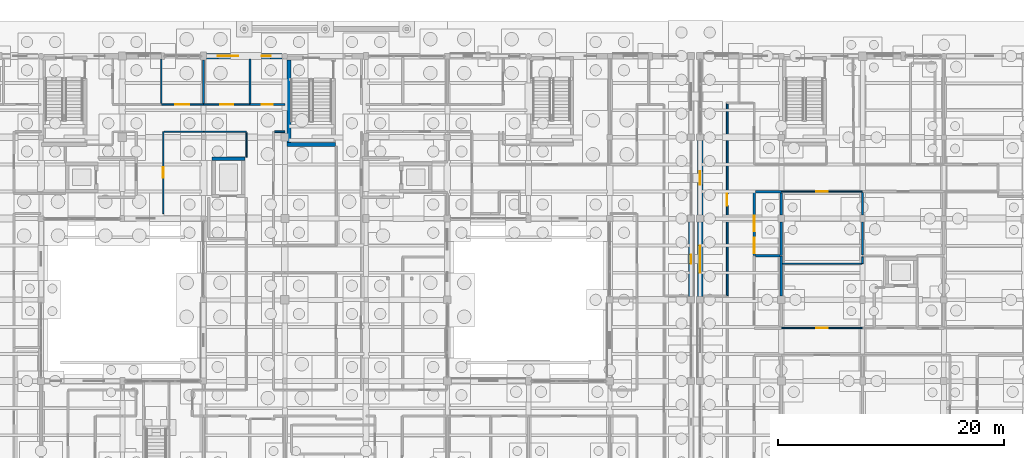
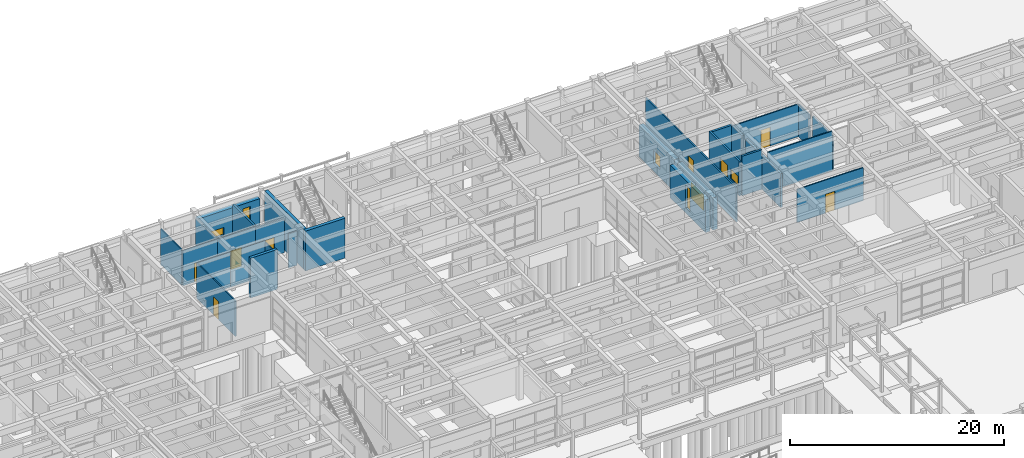
# One storey, part 114 of 143: 31 walls, 8 doors, 6 windows, 14 openings.
"""IFC4 building model written with IfcOpenShell, lengths in metres."""

from ifc_helpers import new_model, si_unit, direction, frame, frame_2d, origin, place, context, subcontext, project, spatial, rectangle, extrude, material, layer, layer_set, type_object, element, fill, save


model = new_model("IFC4")

# Units and contexts
model_context = context("Model", 3, precision=1e-05, world=origin(), true_north=direction((0.0, 1.0)))
body_context = subcontext(model_context, "Body", "Model", "MODEL_VIEW")
ifc_project = project(units=[si_unit("LENGTHUNIT", "METRE"), si_unit("AREAUNIT", "SQUARE_METRE"), si_unit("VOLUMEUNIT", "CUBIC_METRE"), si_unit("PLANEANGLEUNIT", "RADIAN"), si_unit("MASSUNIT", "GRAM", prefix="KILO")], contexts=[model_context])

# Site, building, storey
site_placement = place(None, origin())
site = spatial("IfcSite", under=ifc_project, at=site_placement, CompositionType="ELEMENT")
building_placement = place(site_placement, origin())
building = spatial("IfcBuilding", under=site, at=building_placement, Name="Steenspoor Specialist Clinic", CompositionType="ELEMENT")
storey_placement = place(building_placement, origin())
storey = spatial("IfcBuildingStorey", under=building, at=storey_placement, Name="L00", CompositionType="ELEMENT", Elevation=0.0)

# Wall, openings, windows
ifc_material_1 = material(Name="Volcanic basalt ashlar masonry", Category="masonry")
ifc_layer_1 = layer(ifc_material_1, 0.47998046875)
ifc_layer_set_1 = layer_set([ifc_layer_1], Name="Volcanic basalt ashlar masonry")
wall_type_1 = type_object("IfcWallType", Name="W-BASALT-480", PredefinedType="SOLIDWALL", material=ifc_layer_set_1)
wall_1_placement = place(storey_placement, frame((74.25, 108.35009765625, 0.0), z_axis=(0.0, 0.0, 1.0), x_axis=(1.0, 0.0, 0.0)))
wall_1 = element("IfcWall", 1, at=wall_1_placement, inside=storey, type_object=wall_type_1, Name="Exterior Brick Wall EW-V4-L00-0091", PredefinedType="SOLIDWALL", context=body_context, shape_type="SweptSolid", body=[
    extrude(rectangle(XDim=6.699951171875, YDim=0.47998046875, at=frame_2d((3.35009765625, 0.0))), origin(), (0.0, 0.0, 1.0), 3.72998046875),
])
opening_1_placement = place(wall_1_placement, frame((1.014892578125, 0.0, 0.89990234375)))
opening_1 = element("IfcOpeningElement", 2, at=opening_1_placement, cuts=wall_1, Name="Opening WN-22", PredefinedType="OPENING", context=body_context, shape_type="SweptSolid", body=[
    extrude(rectangle(XDim=1.800048828125, YDim=0.89990234375, at=frame_2d((0.89990234375, 0.449951171875))), frame((0.0, 0.25, 0.0), z_axis=(0.0, -1.0, 0.0), x_axis=(1.0, 0.0, 0.0)), (0.0, 0.0, 1.0), 0.5),
])
opening_2_placement = place(wall_1_placement, frame((4.885009765625, 0.0, 0.60009765625)))
opening_2 = element("IfcOpeningElement", 3, at=opening_2_placement, cuts=wall_1, Name="Opening WN-24", PredefinedType="OPENING", context=body_context, shape_type="SweptSolid", body=[
    extrude(rectangle(XDim=0.800048828125, YDim=2.60009765625, at=frame_2d((0.39990234375, 1.300048828125))), frame((0.0, 0.25, 0.0), z_axis=(0.0, -1.0, 0.0), x_axis=(1.0, 0.0, 0.0)), (0.0, 0.0, 1.0), 0.5),
])
ifc_material_2 = material(Name="Thermally broken aluminium and low-emissivity glass", Category="aluminium")
window_type_1 = type_object("IfcWindowType", Name="WN-EXT-080X260", PartitioningType="SINGLE_PANEL", PredefinedType="WINDOW", material=ifc_material_2)
window_1_placement = place(opening_2_placement, origin())
window_1 = element("IfcWindow", 4, at=window_1_placement, inside=storey, type_object=window_type_1, Name="Window 0112", OverallHeight=2.60009765625, OverallWidth=0.800048828125, PartitioningType="SINGLE_PANEL", PredefinedType="WINDOW", context=body_context, shape_type="SweptSolid", body=[
    extrude(rectangle(XDim=0.800048828125, YDim=2.60009765625, at=frame_2d((0.39990234375, 1.300048828125))), frame((0.0, 0.030029296875, 0.0), z_axis=(0.0, -1.0, 0.0), x_axis=(1.0, 0.0, 0.0)), (0.0, 0.0, 1.0), 0.06005859375),
])
fill(opening_2, window_1)
window_type_2 = type_object("IfcWindowType", Name="WN-EXT-180X090", PartitioningType="SINGLE_PANEL", PredefinedType="WINDOW", material=ifc_material_2)
window_2_placement = place(opening_1_placement, origin())
window_2 = element("IfcWindow", 5, at=window_2_placement, inside=storey, type_object=window_type_2, Name="Window 0111", OverallHeight=0.89990234375, OverallWidth=1.800048828125, PartitioningType="SINGLE_PANEL", PredefinedType="WINDOW", context=body_context, shape_type="SweptSolid", body=[
    extrude(rectangle(XDim=1.800048828125, YDim=0.89990234375, at=frame_2d((0.89990234375, 0.449951171875))), frame((0.0, 0.030029296875, 0.0), z_axis=(0.0, -1.0, 0.0), x_axis=(1.0, 0.0, 0.0)), (0.0, 0.0, 1.0), 0.06005859375),
])
fill(opening_1, window_2)

# Wall, opening, window
wall_2_placement = place(storey_placement, frame((117.199951171875, 93.64990234375, 0.0), z_axis=(0.0, 0.0, 1.0), x_axis=(0.0, -1.0, 0.0)))
wall_2 = element("IfcWall", 6, at=wall_2_placement, inside=storey, type_object=wall_type_1, Name="Exterior Brick Wall EW-V4-L00-0099", PredefinedType="SOLIDWALL", context=body_context, shape_type="SweptSolid", body=[
    extrude(rectangle(XDim=6.599853515625, YDim=0.47998046875, at=frame_2d((3.2998046875, 0.0))), origin(), (0.0, 0.0, 1.0), 3.72998046875),
])
opening_3_placement = place(wall_2_placement, frame((2.89990234375, 0.0, 0.60009765625)))
opening_3 = element("IfcOpeningElement", 7, at=opening_3_placement, cuts=wall_2, Name="Opening WN-24", PredefinedType="OPENING", context=body_context, shape_type="SweptSolid", body=[
    extrude(rectangle(XDim=0.800048828125, YDim=2.60009765625, at=frame_2d((0.39990234375, 1.300048828125))), frame((0.0, 0.25, 0.0), z_axis=(0.0, -1.0, 0.0), x_axis=(1.0, 0.0, 0.0)), (0.0, 0.0, 1.0), 0.5),
])
window_3_placement = place(opening_3_placement, origin())
window_3 = element("IfcWindow", 8, at=window_3_placement, inside=storey, type_object=window_type_1, Name="Window 0120", OverallHeight=2.60009765625, OverallWidth=0.800048828125, PartitioningType="SINGLE_PANEL", PredefinedType="WINDOW", context=body_context, shape_type="SweptSolid", body=[
    extrude(rectangle(XDim=0.800048828125, YDim=2.60009765625, at=frame_2d((0.39990234375, 1.300048828125))), frame((0.0, 0.030029296875, 0.0), z_axis=(0.0, -1.0, 0.0), x_axis=(1.0, 0.0, 0.0)), (0.0, 0.0, 1.0), 0.06005859375),
])
fill(opening_3, window_3)

wall_3_placement = place(storey_placement, frame((118.0, 87.050048828125, 0.0), z_axis=(0.0, 0.0, 1.0), x_axis=(0.0, 1.0, 0.0)))
wall_3 = element("IfcWall", 9, at=wall_3_placement, inside=storey, type_object=wall_type_1, Name="Exterior Brick Wall EW-V6-L00-0301", PredefinedType="SOLIDWALL", context=body_context, shape_type="SweptSolid", body=[
    extrude(rectangle(XDim=6.599853515625, YDim=0.47998046875, at=frame_2d((3.2998046875, 0.0))), origin(), (0.0, 0.0, 1.0), 3.699951171875),
])
opening_4_placement = place(wall_3_placement, frame((2.10009765625, 0.0, 0.89990234375)))
opening_4 = element("IfcOpeningElement", 10, at=opening_4_placement, cuts=wall_3, Name="Opening WN-10", PredefinedType="OPENING", context=body_context, shape_type="SweptSolid", body=[
    extrude(rectangle(XDim=2.39990234375, YDim=1.800048828125, at=frame_2d((1.199951171875, 0.89990234375))), frame((0.0, 0.25, 0.0), z_axis=(0.0, -1.0, 0.0), x_axis=(1.0, 0.0, 0.0)), (0.0, 0.0, 1.0), 0.5),
])
window_type_3 = type_object("IfcWindowType", Name="WN-EXT-240X180", PartitioningType="SINGLE_PANEL", PredefinedType="WINDOW", material=ifc_material_2)
window_4_placement = place(opening_4_placement, origin())
window_4 = element("IfcWindow", 11, at=window_4_placement, inside=storey, type_object=window_type_3, Name="Window 0322", OverallHeight=1.800048828125, OverallWidth=2.39990234375, PartitioningType="SINGLE_PANEL", PredefinedType="WINDOW", context=body_context, shape_type="SweptSolid", body=[
    extrude(rectangle(XDim=2.39990234375, YDim=1.800048828125, at=frame_2d((1.199951171875, 0.89990234375))), frame((0.0, 0.030029296875, 0.0), z_axis=(0.0, -1.0, 0.0), x_axis=(1.0, 0.0, 0.0)), (0.0, 0.0, 1.0), 0.06005859375),
])
fill(opening_4, window_4)

wall_4_placement = place(storey_placement, frame((118.0, 94.25, 0.0), z_axis=(0.0, 0.0, 1.0), x_axis=(0.0, 1.0, 0.0)))
wall_4 = element("IfcWall", 12, at=wall_4_placement, inside=storey, type_object=wall_type_1, Name="Exterior Brick Wall EW-V6-L00-0302", PredefinedType="SOLIDWALL", context=body_context, shape_type="SweptSolid", body=[
    extrude(rectangle(XDim=6.60009765625, YDim=0.47998046875, at=frame_2d((3.300048828125, 0.0))), origin(), (0.0, 0.0, 1.0), 3.699951171875),
])
opening_5_placement = place(wall_4_placement, frame((2.699951171875, 0.0, 0.89990234375)))
opening_5 = element("IfcOpeningElement", 13, at=opening_5_placement, cuts=wall_4, Name="Opening WN-11", PredefinedType="OPENING", context=body_context, shape_type="SweptSolid", body=[
    extrude(rectangle(XDim=1.199951171875, YDim=1.5, at=frame_2d((0.60009765625, 0.75))), frame((0.0, 0.25, 0.0), z_axis=(0.0, -1.0, 0.0), x_axis=(1.0, 0.0, 0.0)), (0.0, 0.0, 1.0), 0.5),
])
window_type_4 = type_object("IfcWindowType", Name="WN-EXT-120X150", PartitioningType="SINGLE_PANEL", PredefinedType="WINDOW", material=ifc_material_2)
window_5_placement = place(opening_5_placement, origin())
window_5 = element("IfcWindow", 14, at=window_5_placement, inside=storey, type_object=window_type_4, Name="Window 0323", OverallHeight=1.5, OverallWidth=1.199951171875, PartitioningType="SINGLE_PANEL", PredefinedType="WINDOW", context=body_context, shape_type="SweptSolid", body=[
    extrude(rectangle(XDim=1.199951171875, YDim=1.5, at=frame_2d((0.60009765625, 0.75))), frame((0.0, 0.030029296875, 0.0), z_axis=(0.0, -1.0, 0.0), x_axis=(1.0, 0.0, 0.0)), (0.0, 0.0, 1.0), 0.06005859375),
])
fill(opening_5, window_5)

# Wall
ifc_material_3 = material(Name="Gypsum acoustic clinical partition", Category="gypsum")
ifc_layer_2 = layer(ifc_material_3, 0.14990234375)
ifc_layer_set_2 = layer_set([ifc_layer_2], Name="Gypsum acoustic clinical partition")
wall_type_2 = type_object("IfcWallType", Name="W-CLIN-150", PredefinedType="PARTITIONING", material=ifc_layer_set_2)
wall_5_placement = place(storey_placement, frame((80.2900390625, 101.64990234375, 0.0), z_axis=(0.0, 0.0, 1.0), x_axis=(1.0, 0.0, 0.0)))
element("IfcWall", 15, at=wall_5_placement, inside=storey, type_object=wall_type_2, Name="Interior Partition IW-V4-L00-0254", PredefinedType="PARTITIONING", context=body_context, shape_type="SweptSolid", body=[
    extrude(rectangle(XDim=0.909912109375, YDim=0.14990234375, at=frame_2d((0.455078125, 0.0))), origin(), (0.0, 0.0, 1.0), 3.885009765625),
])

# Wall, opening, door
wall_6_placement = place(storey_placement, frame((74.0, 104.050048828125, 0.0), z_axis=(0.0, 0.0, 1.0), x_axis=(1.0, 0.0, 0.0)))
wall_6 = element("IfcWall", 16, at=wall_6_placement, inside=storey, type_object=wall_type_2, Name="Interior Partition IW-V4-L00-0270", PredefinedType="PARTITIONING", context=body_context, shape_type="SweptSolid", body=[
    extrude(rectangle(XDim=4.0849609375, YDim=0.14990234375, at=frame_2d((2.04248046875, 0.0))), origin(), (0.0, 0.0, 1.0), 4.014892578125),
])
opening_6_placement = place(wall_6_placement, frame((1.467529296875, 0.0, 0.0)))
opening_6 = element("IfcOpeningElement", 17, at=opening_6_placement, cuts=wall_6, Name="Opening D0183", PredefinedType="OPENING", context=body_context, shape_type="SweptSolid", body=[
    extrude(rectangle(XDim=1.14990234375, YDim=2.14990234375, at=frame_2d((0.574951171875, 1.074951171875))), frame((0.0, 0.0849609375, 0.0), z_axis=(0.0, -1.0, 0.0), x_axis=(1.0, 0.0, 0.0)), (0.0, 0.0, 1.0), 0.169921875),
])
ifc_material_4 = material(Name="Solid-core hardwood clinical door", Category="wood")
door_type_1 = type_object("IfcDoorType", Name="DT-CONS-115X215", OperationType="NOTDEFINED", PredefinedType="DOOR", material=ifc_material_4)
door_1_placement = place(opening_6_placement, origin())
door_1 = element("IfcDoor", 18, at=door_1_placement, inside=storey, type_object=door_type_1, Name="Clinical Door D0183", OperationType="SINGLE_SWING_RIGHT", OverallHeight=2.14990234375, OverallWidth=1.14990234375, PredefinedType="DOOR", context=body_context, shape_type="SweptSolid", body=[
    extrude(rectangle(XDim=1.14990234375, YDim=2.14990234375, at=frame_2d((0.574951171875, 1.074951171875))), frame((0.0, 0.02490234375, 0.0), z_axis=(0.0, -1.0, 0.0), x_axis=(1.0, 0.0, 0.0)), (0.0, 0.0, 1.0), 0.050048828125),
])
fill(opening_6, door_1)

wall_7_placement = place(storey_placement, frame((120.39990234375, 87.114990234375, 0.0), z_axis=(0.0, 0.0, 1.0), x_axis=(0.0, 1.0, 0.0)))
wall_7 = element("IfcWall", 19, at=wall_7_placement, inside=storey, type_object=wall_type_2, Name="Interior Partition IW-V6-L00-0286", PredefinedType="PARTITIONING", context=body_context, shape_type="SweptSolid", body=[
    extrude(rectangle(XDim=16.9951171875, YDim=0.14990234375, at=frame_2d((8.49755859375, 0.0))), origin(), (0.0, 0.0, 1.0), 3.925048828125),
])
opening_7_placement = place(wall_7_placement, frame((7.972412109375, 0.0, 0.0)))
opening_7 = element("IfcOpeningElement", 20, at=opening_7_placement, cuts=wall_7, Name="Opening D0418", PredefinedType="OPENING", context=body_context, shape_type="SweptSolid", body=[
    extrude(rectangle(XDim=1.050048828125, YDim=2.14990234375, at=frame_2d((0.52490234375, 1.074951171875))), frame((0.0, 0.0849609375, 0.0), z_axis=(0.0, -1.0, 0.0), x_axis=(1.0, 0.0, 0.0)), (0.0, 0.0, 1.0), 0.169921875),
])
ifc_material_5 = material(Name="Solid-core hardwood office door", Category="wood")
door_type_2 = type_object("IfcDoorType", Name="DT-OFF-105X215", OperationType="NOTDEFINED", PredefinedType="DOOR", material=ifc_material_5)
door_2_placement = place(opening_7_placement, origin())
door_2 = element("IfcDoor", 21, at=door_2_placement, inside=storey, type_object=door_type_2, Name="Clinical Door D0418", OperationType="SINGLE_SWING_LEFT", OverallHeight=2.14990234375, OverallWidth=1.050048828125, PredefinedType="DOOR", context=body_context, shape_type="SweptSolid", body=[
    extrude(rectangle(XDim=1.050048828125, YDim=2.14990234375, at=frame_2d((0.52490234375, 1.074951171875))), frame((0.0, 0.02490234375, 0.0), z_axis=(0.0, -1.0, 0.0), x_axis=(1.0, 0.0, 0.0)), (0.0, 0.0, 1.0), 0.050048828125),
])
fill(opening_7, door_2)

# Walls
wall_8_placement = place(storey_placement, frame((74.0, 104.139892578125, 0.0), z_axis=(0.0, 0.0, 1.0), x_axis=(0.0, 1.0, 0.0)))
element("IfcWall", 22, at=wall_8_placement, inside=storey, type_object=wall_type_2, Name="Interior Partition IW-V4-L00-0630", PredefinedType="PARTITIONING", context=body_context, shape_type="SweptSolid", body=[
    extrude(rectangle(XDim=3.84521484375, YDim=0.14990234375, at=frame_2d((1.922607421875, 0.0))), origin(), (0.0, 0.0, 1.0), 4.014892578125),
])
wall_9_placement = place(storey_placement, frame((132.39990234375, 89.949951171875, 0.0), z_axis=(0.0, 0.0, 1.0), x_axis=(0.0, 1.0, 0.0)))
element("IfcWall", 23, at=wall_9_placement, inside=storey, type_object=wall_type_2, Name="Interior Partition IW-V6-L00-0651", PredefinedType="PARTITIONING", context=body_context, shape_type="SweptSolid", body=[
    extrude(rectangle(XDim=0.610107421875, YDim=0.14990234375, at=frame_2d((0.30517578125, 0.0))), origin(), (0.0, 0.0, 1.0), 3.955078125),
])
wall_10_placement = place(storey_placement, frame((132.39990234375, 90.739990234375, 0.0), z_axis=(0.0, 0.0, 1.0), x_axis=(0.0, 1.0, 0.0)))
element("IfcWall", 24, at=wall_10_placement, inside=storey, type_object=wall_type_2, Name="Interior Partition IW-V6-L00-0652", PredefinedType="PARTITIONING", context=body_context, shape_type="SweptSolid", body=[
    extrude(rectangle(XDim=2.89501953125, YDim=0.14990234375, at=frame_2d((1.447509765625, 0.0))), origin(), (0.0, 0.0, 1.0), 3.955078125),
])
wall_11_placement = place(storey_placement, frame((132.39990234375, 94.264892578125, 0.0), z_axis=(0.0, 0.0, 1.0), x_axis=(0.0, 1.0, 0.0)))
element("IfcWall", 25, at=wall_11_placement, inside=storey, type_object=wall_type_2, Name="Interior Partition IW-V6-L00-0653", PredefinedType="PARTITIONING", context=body_context, shape_type="SweptSolid", body=[
    extrude(rectangle(XDim=1.9951171875, YDim=0.14990234375, at=frame_2d((0.99755859375, 0.0))), origin(), (0.0, 0.0, 1.0), 3.705078125),
])

# Wall, openings, door, window
ifc_material_6 = material(Name="Fire-rated clay blockwork masonry", Category="masonry")
ifc_layer_3 = layer(ifc_material_6, 0.219970703125)
ifc_layer_set_3 = layer_set([ifc_layer_3], Name="Fire-rated clay blockwork masonry")
wall_type_3 = type_object("IfcWallType", Name="W-FIRE-220", PredefinedType="PARTITIONING", material=ifc_layer_set_3)
wall_12_placement = place(storey_placement, frame((122.800048828125, 90.6650390625, 0.0), z_axis=(0.0, 0.0, 1.0), x_axis=(0.0, 1.0, 0.0)))
wall_12 = element("IfcWall", 26, at=wall_12_placement, inside=storey, type_object=wall_type_3, Name="Interior Partition IW-V6-L00-0109", PredefinedType="PARTITIONING", context=body_context, shape_type="SweptSolid", body=[
    extrude(rectangle(XDim=5.68505859375, YDim=0.219970703125, at=frame_2d((2.842529296875, 0.0))), origin(), (0.0, 0.0, 1.0), 3.955078125),
])
opening_8_placement = place(wall_12_placement, frame((2.142578125, 0.0, 0.0)))
opening_8 = element("IfcOpeningElement", 27, at=opening_8_placement, cuts=wall_12, Name="Opening D0421", PredefinedType="OPENING", context=body_context, shape_type="SweptSolid", body=[
    extrude(rectangle(XDim=1.39990234375, YDim=2.199951171875, at=frame_2d((0.699951171875, 1.10009765625))), frame((0.0, 0.1201171875, 0.0), z_axis=(0.0, -1.0, 0.0), x_axis=(1.0, 0.0, 0.0)), (0.0, 0.0, 1.0), 0.239990234375),
])
opening_9_placement = place(wall_12_placement, frame((0.199951171875, 0.0, 1.050048828125)))
opening_9 = element("IfcOpeningElement", 28, at=opening_9_placement, cuts=wall_12, Name="Opening IWN-01", PredefinedType="OPENING", context=body_context, shape_type="SweptSolid", body=[
    extrude(rectangle(XDim=1.39990234375, YDim=1.10009765625, at=frame_2d((0.699951171875, 0.550048828125))), frame((0.0, 0.1201171875, 0.0), z_axis=(0.0, -1.0, 0.0), x_axis=(1.0, 0.0, 0.0)), (0.0, 0.0, 1.0), 0.239990234375),
])
ifc_material_7 = material(Name="Fire-rated clinical laminate door", Category="steel")
door_type_3 = type_object("IfcDoorType", Name="DT-LAB-140X220", OperationType="NOTDEFINED", PredefinedType="DOOR", material=ifc_material_7)
door_3_placement = place(opening_8_placement, origin())
door_3 = element("IfcDoor", 29, at=door_3_placement, inside=storey, type_object=door_type_3, Name="Clinical Door D0421", OperationType="SINGLE_SWING_RIGHT", OverallHeight=2.199951171875, OverallWidth=1.39990234375, PredefinedType="DOOR", context=body_context, shape_type="SweptSolid", body=[
    extrude(rectangle(XDim=1.39990234375, YDim=2.199951171875, at=frame_2d((0.699951171875, 1.10009765625))), frame((0.0, 0.02490234375, 0.0), z_axis=(0.0, -1.0, 0.0), x_axis=(1.0, 0.0, 0.0)), (0.0, 0.0, 1.0), 0.050048828125),
])
fill(opening_8, door_3)
window_type_5 = type_object("IfcWindowType", Name="IWND-OBS-140X110", PartitioningType="SINGLE_PANEL", PredefinedType="WINDOW", material=ifc_material_2)
window_6_placement = place(opening_9_placement, origin())
window_6 = element("IfcWindow", 30, at=window_6_placement, inside=storey, type_object=window_type_5, Name="Observation Window 009", OverallHeight=1.10009765625, OverallWidth=1.39990234375, PartitioningType="SINGLE_PANEL", PredefinedType="WINDOW", context=body_context, shape_type="SweptSolid", body=[
    extrude(rectangle(XDim=1.39990234375, YDim=1.10009765625, at=frame_2d((0.699951171875, 0.550048828125))), frame((0.0, 0.030029296875, 0.0), z_axis=(0.0, -1.0, 0.0), x_axis=(1.0, 0.0, 0.0)), (0.0, 0.0, 1.0), 0.06005859375),
])
fill(opening_9, window_6)

# Walls
wall_13_placement = place(storey_placement, frame((122.925048828125, 96.35009765625, 0.0), z_axis=(0.0, 0.0, 1.0), x_axis=(1.0, 0.0, 0.0)))
element("IfcWall", 31, at=wall_13_placement, inside=storey, type_object=wall_type_3, Name="Interior Partition IW-V6-L00-0110", PredefinedType="PARTITIONING", context=body_context, shape_type="SweptSolid", body=[
    extrude(rectangle(XDim=2.27490234375, YDim=0.219970703125, at=frame_2d((1.137451171875, 0.0))), origin(), (0.0, 0.0, 1.0), 3.85498046875),
])
wall_14_placement = place(storey_placement, frame((125.199951171875, 87.090087890625, 0.0), z_axis=(0.0, 0.0, 1.0), x_axis=(0.0, 1.0, 0.0)))
element("IfcWall", 32, at=wall_14_placement, inside=storey, type_object=wall_type_3, Name="Interior Partition IW-V6-L00-0469", PredefinedType="PARTITIONING", context=body_context, shape_type="SweptSolid", body=[
    extrude(rectangle(XDim=3.559814453125, YDim=0.219970703125, at=frame_2d((1.77978515625, 0.0))), origin(), (0.0, 0.0, 1.0), 3.85498046875),
])
wall_15_placement = place(storey_placement, frame((122.925048828125, 90.64990234375, 0.0), z_axis=(0.0, 0.0, 1.0), x_axis=(1.0, 0.0, 0.0)))
element("IfcWall", 33, at=wall_15_placement, inside=storey, type_object=wall_type_3, Name="Interior Partition IW-V6-L00-0470", PredefinedType="PARTITIONING", context=body_context, shape_type="SweptSolid", body=[
    extrude(rectangle(XDim=2.14990234375, YDim=0.219970703125, at=frame_2d((1.074951171875, 0.0))), origin(), (0.0, 0.0, 1.0), 4.52001953125),
])
wall_16_placement = place(storey_placement, frame((125.199951171875, 90.6650390625, 0.0), z_axis=(0.0, 0.0, 1.0), x_axis=(0.0, 1.0, 0.0)))
element("IfcWall", 34, at=wall_16_placement, inside=storey, type_object=wall_type_3, Name="Interior Partition IW-V6-L00-0476", PredefinedType="PARTITIONING", context=body_context, shape_type="SweptSolid", body=[
    extrude(rectangle(XDim=2.969970703125, YDim=0.219970703125, at=frame_2d((1.48486328125, 0.0))), origin(), (0.0, 0.0, 1.0), 3.85498046875),
])
wall_17_placement = place(storey_placement, frame((125.199951171875, 94.264892578125, 0.0), z_axis=(0.0, 0.0, 1.0), x_axis=(0.0, 1.0, 0.0)))
element("IfcWall", 35, at=wall_17_placement, inside=storey, type_object=wall_type_3, Name="Interior Partition IW-V6-L00-0477", PredefinedType="PARTITIONING", context=body_context, shape_type="SweptSolid", body=[
    extrude(rectangle(XDim=1.960205078125, YDim=0.219970703125, at=frame_2d((0.97998046875, 0.0))), origin(), (0.0, 0.0, 1.0), 3.85498046875),
])

# Wall, opening, door
ifc_material_8 = material(Name="Gypsum studio partition board", Category="gypsum")
ifc_layer_4 = layer(ifc_material_8, 0.1201171875)
ifc_layer_set_4 = layer_set([ifc_layer_4], Name="Gypsum studio partition board")
wall_type_4 = type_object("IfcWallType", Name="W-PART-120", PredefinedType="PARTITIONING", material=ifc_layer_set_4)
wall_18_placement = place(storey_placement, frame((70.429931640625, 94.39990234375, 0.0), z_axis=(0.0, 0.0, 1.0), x_axis=(0.0, 1.0, 0.0)))
wall_18 = element("IfcWall", 36, at=wall_18_placement, inside=storey, type_object=wall_type_4, Name="Interior Partition IW-V4-L00-0345", PredefinedType="PARTITIONING", context=body_context, shape_type="SweptSolid", body=[
    extrude(rectangle(XDim=7.25, YDim=0.1201171875, at=frame_2d((3.625, 0.0))), origin(), (0.0, 0.0, 1.0), 4.054931640625),
])
opening_10_placement = place(wall_18_placement, frame((3.14990234375, 0.0, 0.0)))
opening_10 = element("IfcOpeningElement", 37, at=opening_10_placement, cuts=wall_18, Name="Opening D0174", PredefinedType="OPENING", context=body_context, shape_type="SweptSolid", body=[
    extrude(rectangle(XDim=0.949951171875, YDim=2.10009765625, at=frame_2d((0.47509765625, 1.050048828125))), frame((0.0, 0.070068359375, 0.0), z_axis=(0.0, -1.0, 0.0), x_axis=(1.0, 0.0, 0.0)), (0.0, 0.0, 1.0), 0.14013671875),
])
ifc_material_9 = material(Name="Moisture-resistant HPL sanitary door", Category="wood")
door_type_4 = type_object("IfcDoorType", Name="DT-WC-095X210", OperationType="NOTDEFINED", PredefinedType="DOOR", material=ifc_material_9)
door_4_placement = place(opening_10_placement, origin())
door_4 = element("IfcDoor", 38, at=door_4_placement, inside=storey, type_object=door_type_4, Name="Clinical Door D0174", OperationType="SINGLE_SWING_LEFT", OverallHeight=2.10009765625, OverallWidth=0.949951171875, PredefinedType="DOOR", context=body_context, shape_type="SweptSolid", body=[
    extrude(rectangle(XDim=0.949951171875, YDim=2.10009765625, at=frame_2d((0.47509765625, 1.050048828125))), frame((0.0, 0.02490234375, 0.0), z_axis=(0.0, -1.0, 0.0), x_axis=(1.0, 0.0, 0.0)), (0.0, 0.0, 1.0), 0.050048828125),
])
fill(opening_10, door_4)

# Walls
wall_19_placement = place(storey_placement, frame((70.5048828125, 101.64990234375, 0.0), z_axis=(0.0, 0.0, 1.0), x_axis=(1.0, 0.0, 0.0)))
element("IfcWall", 39, at=wall_19_placement, inside=storey, type_object=wall_type_4, Name="Interior Partition IW-V4-L00-0346", PredefinedType="PARTITIONING", context=body_context, shape_type="SweptSolid", body=[
    extrude(rectangle(XDim=3.4951171875, YDim=0.1201171875, at=frame_2d((1.74755859375, 0.0))), origin(), (0.0, 0.0, 1.0), 4.014892578125),
])
wall_20_placement = place(storey_placement, frame((74.014892578125, 101.64990234375, 0.0), z_axis=(0.0, 0.0, 1.0), x_axis=(1.0, 0.0, 0.0)))
element("IfcWall", 40, at=wall_20_placement, inside=storey, type_object=wall_type_4, Name="Interior Partition IW-V4-L00-0347", PredefinedType="PARTITIONING", context=body_context, shape_type="SweptSolid", body=[
    extrude(rectangle(XDim=3.78515625, YDim=0.1201171875, at=frame_2d((1.892578125, 0.0))), origin(), (0.0, 0.0, 1.0), 4.014892578125),
])
wall_21_placement = place(storey_placement, frame((77.800048828125, 99.39990234375, 0.0), z_axis=(0.0, 0.0, 1.0), x_axis=(0.0, 1.0, 0.0)))
element("IfcWall", 41, at=wall_21_placement, inside=storey, type_object=wall_type_4, Name="Interior Partition IW-V4-L00-0348", PredefinedType="PARTITIONING", context=body_context, shape_type="SweptSolid", body=[
    extrude(rectangle(XDim=2.175048828125, YDim=0.1201171875, at=frame_2d((1.08740234375, 0.0))), origin(), (0.0, 0.0, 1.0), 3.81494140625),
])

# Wall, opening, door
wall_22_placement = place(storey_placement, frame((70.264892578125, 104.050048828125, 0.0), z_axis=(0.0, 0.0, 1.0), x_axis=(1.0, 0.0, 0.0)))
wall_22 = element("IfcWall", 42, at=wall_22_placement, inside=storey, type_object=wall_type_4, Name="Interior Partition IW-V4-L00-0362", PredefinedType="PARTITIONING", context=body_context, shape_type="SweptSolid", body=[
    extrude(rectangle(XDim=3.72021484375, YDim=0.1201171875, at=frame_2d((1.860107421875, 0.0))), origin(), (0.0, 0.0, 1.0), 4.014892578125),
])
opening_11_placement = place(wall_22_placement, frame((1.235107421875, 0.0, 0.0)))
opening_11 = element("IfcOpeningElement", 43, at=opening_11_placement, cuts=wall_22, Name="Opening D0182", PredefinedType="OPENING", context=body_context, shape_type="SweptSolid", body=[
    extrude(rectangle(XDim=1.25, YDim=2.14990234375, at=frame_2d((0.625, 1.074951171875))), frame((0.0, 0.070068359375, 0.0), z_axis=(0.0, -1.0, 0.0), x_axis=(1.0, 0.0, 0.0)), (0.0, 0.0, 1.0), 0.14013671875),
])
ifc_material_10 = material(Name="Hygienic HPL clinical timber door", Category="wood")
door_type_5 = type_object("IfcDoorType", Name="DT-EXAM-125X215", OperationType="NOTDEFINED", PredefinedType="DOOR", material=ifc_material_10)
door_5_placement = place(opening_11_placement, origin())
door_5 = element("IfcDoor", 44, at=door_5_placement, inside=storey, type_object=door_type_5, Name="Clinical Door D0182", OperationType="SINGLE_SWING_LEFT", OverallHeight=2.14990234375, OverallWidth=1.25, PredefinedType="DOOR", context=body_context, shape_type="SweptSolid", body=[
    extrude(rectangle(XDim=1.25, YDim=2.14990234375, at=frame_2d((0.625, 1.074951171875))), frame((0.0, 0.02490234375, 0.0), z_axis=(0.0, -1.0, 0.0), x_axis=(1.0, 0.0, 0.0)), (0.0, 0.0, 1.0), 0.050048828125),
])
fill(opening_11, door_5)

wall_23_placement = place(storey_placement, frame((125.215087890625, 84.25, 0.0), z_axis=(0.0, 0.0, 1.0), x_axis=(1.0, 0.0, 0.0)))
wall_23 = element("IfcWall", 45, at=wall_23_placement, inside=storey, type_object=wall_type_4, Name="Interior Partition IW-V6-L00-0386", PredefinedType="PARTITIONING", context=body_context, shape_type="SweptSolid", body=[
    extrude(rectangle(XDim=7.169921875, YDim=0.1201171875, at=frame_2d((3.5849609375, 0.0))), origin(), (0.0, 0.0, 1.0), 3.784912109375),
])
opening_12_placement = place(wall_23_placement, frame((3.0849609375, 0.0, 0.0)))
opening_12 = element("IfcOpeningElement", 46, at=opening_12_placement, cuts=wall_23, Name="Opening D0413", PredefinedType="OPENING", context=body_context, shape_type="SweptSolid", body=[
    extrude(rectangle(XDim=1.0, YDim=2.14990234375, at=frame_2d((0.5, 1.074951171875))), frame((0.0, 0.070068359375, 0.0), z_axis=(0.0, -1.0, 0.0), x_axis=(1.0, 0.0, 0.0)), (0.0, 0.0, 1.0), 0.14013671875),
])
ifc_material_11 = material(Name="Moisture-resistant HPL accessible WC door", Category="wood")
door_type_6 = type_object("IfcDoorType", Name="DT-AWC-100X215", OperationType="NOTDEFINED", PredefinedType="DOOR", material=ifc_material_11)
door_6_placement = place(opening_12_placement, origin())
door_6 = element("IfcDoor", 47, at=door_6_placement, inside=storey, type_object=door_type_6, Name="Clinical Door D0413", OperationType="SINGLE_SWING_RIGHT", OverallHeight=2.14990234375, OverallWidth=1.0, PredefinedType="DOOR", context=body_context, shape_type="SweptSolid", body=[
    extrude(rectangle(XDim=1.0, YDim=2.14990234375, at=frame_2d((0.5, 1.074951171875))), frame((0.0, 0.02490234375, 0.0), z_axis=(0.0, -1.0, 0.0), x_axis=(1.0, 0.0, 0.0)), (0.0, 0.0, 1.0), 0.050048828125),
])
fill(opening_12, door_6)

wall_24_placement = place(storey_placement, frame((125.215087890625, 96.35009765625, 0.0), z_axis=(0.0, 0.0, 1.0), x_axis=(1.0, 0.0, 0.0)))
wall_24 = element("IfcWall", 48, at=wall_24_placement, inside=storey, type_object=wall_type_4, Name="Interior Partition IW-V6-L00-0390", PredefinedType="PARTITIONING", context=body_context, shape_type="SweptSolid", body=[
    extrude(rectangle(XDim=7.169921875, YDim=0.1201171875, at=frame_2d((3.5849609375, 0.0))), origin(), (0.0, 0.0, 1.0), 3.705078125),
])
opening_13_placement = place(wall_24_placement, frame((3.0849609375, 0.0, 0.0)))
opening_13 = element("IfcOpeningElement", 49, at=opening_13_placement, cuts=wall_24, Name="Opening D0419", PredefinedType="OPENING", context=body_context, shape_type="SweptSolid", body=[
    extrude(rectangle(XDim=1.0, YDim=2.14990234375, at=frame_2d((0.5, 1.074951171875))), frame((0.0, 0.070068359375, 0.0), z_axis=(0.0, -1.0, 0.0), x_axis=(1.0, 0.0, 0.0)), (0.0, 0.0, 1.0), 0.14013671875),
])
door_7_placement = place(opening_13_placement, origin())
door_7 = element("IfcDoor", 50, at=door_7_placement, inside=storey, type_object=door_type_6, Name="Clinical Door D0419", OperationType="SINGLE_SWING_RIGHT", OverallHeight=2.14990234375, OverallWidth=1.0, PredefinedType="DOOR", context=body_context, shape_type="SweptSolid", body=[
    extrude(rectangle(XDim=1.0, YDim=2.14990234375, at=frame_2d((0.5, 1.074951171875))), frame((0.0, 0.02490234375, 0.0), z_axis=(0.0, -1.0, 0.0), x_axis=(1.0, 0.0, 0.0)), (0.0, 0.0, 1.0), 0.050048828125),
])
fill(opening_13, door_7)

# Walls
wall_25_placement = place(storey_placement, frame((70.25, 104.125, 0.0), z_axis=(0.0, 0.0, 1.0), x_axis=(0.0, 1.0, 0.0)))
element("IfcWall", 51, at=wall_25_placement, inside=storey, type_object=wall_type_4, Name="Interior Partition IW-V4-L00-0658", PredefinedType="PARTITIONING", context=body_context, shape_type="SweptSolid", body=[
    extrude(rectangle(XDim=3.929931640625, YDim=0.1201171875, at=frame_2d((1.96484375, 0.0))), origin(), (0.0, 0.0, 1.0), 4.074951171875),
])
wall_26_placement = place(storey_placement, frame((125.324951171875, 89.949951171875, 0.0), z_axis=(0.0, 0.0, 1.0), x_axis=(1.0, 0.0, 0.0)))
element("IfcWall", 52, at=wall_26_placement, inside=storey, type_object=wall_type_4, Name="Interior Partition IW-V6-L00-0666", PredefinedType="PARTITIONING", context=body_context, shape_type="SweptSolid", body=[
    extrude(rectangle(XDim=6.985107421875, YDim=0.1201171875, at=frame_2d((3.49267578125, 0.0))), origin(), (0.0, 0.0, 1.0), 4.52001953125),
])

# Wall, opening, door
ifc_material_12 = material(Name="Moisture-resistant gypsum plumbing wall", Category="gypsum")
ifc_layer_5 = layer(ifc_material_12, 0.179931640625)
ifc_layer_set_5 = layer_set([ifc_layer_5], Name="Moisture-resistant gypsum plumbing wall")
wall_type_5 = type_object("IfcWallType", Name="W-PLUMB-180", PredefinedType="PLUMBINGWALL", material=ifc_layer_set_5)
wall_27_placement = place(storey_placement, frame((78.10009765625, 104.050048828125, 0.0), z_axis=(0.0, 0.0, 1.0), x_axis=(1.0, 0.0, 0.0)))
wall_27 = element("IfcWall", 53, at=wall_27_placement, inside=storey, type_object=wall_type_5, Name="Interior Partition IW-V4-L00-0145", PredefinedType="PLUMBINGWALL", context=body_context, shape_type="SweptSolid", body=[
    extrude(rectangle(XDim=3.099853515625, YDim=0.179931640625, at=frame_2d((1.5498046875, 0.0))), origin(), (0.0, 0.0, 1.0), 3.885009765625),
])
opening_14_placement = place(wall_27_placement, frame((1.074951171875, 0.0, 0.0)))
opening_14 = element("IfcOpeningElement", 54, at=opening_14_placement, cuts=wall_27, Name="Opening D0184", PredefinedType="OPENING", context=body_context, shape_type="SweptSolid", body=[
    extrude(rectangle(XDim=0.949951171875, YDim=2.10009765625, at=frame_2d((0.47509765625, 1.050048828125))), frame((0.0, 0.10009765625, 0.0), z_axis=(0.0, -1.0, 0.0), x_axis=(1.0, 0.0, 0.0)), (0.0, 0.0, 1.0), 0.199951171875),
])
door_8_placement = place(opening_14_placement, origin())
door_8 = element("IfcDoor", 55, at=door_8_placement, inside=storey, type_object=door_type_4, Name="Clinical Door D0184", OperationType="SINGLE_SWING_LEFT", OverallHeight=2.10009765625, OverallWidth=0.949951171875, PredefinedType="DOOR", context=body_context, shape_type="SweptSolid", body=[
    extrude(rectangle(XDim=0.949951171875, YDim=2.10009765625, at=frame_2d((0.47509765625, 1.050048828125))), frame((0.0, 0.02490234375, 0.0), z_axis=(0.0, -1.0, 0.0), x_axis=(1.0, 0.0, 0.0)), (0.0, 0.0, 1.0), 0.050048828125),
])
fill(opening_14, door_8)

# Walls
wall_28_placement = place(storey_placement, frame((78.10009765625, 104.155029296875, 0.0), z_axis=(0.0, 0.0, 1.0), x_axis=(0.0, 1.0, 0.0)))
element("IfcWall", 56, at=wall_28_placement, inside=storey, type_object=wall_type_5, Name="Interior Partition IW-V4-L00-0526", PredefinedType="PLUMBINGWALL", context=body_context, shape_type="SweptSolid", body=[
    extrude(rectangle(XDim=3.93994140625, YDim=0.179931640625, at=frame_2d((1.969970703125, 0.0))), origin(), (0.0, 0.0, 1.0), 4.114990234375),
])
ifc_material_13 = material(Name="Concrete C40/50", Category="concrete")
ifc_layer_6 = layer(ifc_material_13, 0.300048828125)
ifc_layer_set_6 = layer_set([ifc_layer_6], Name="Concrete C40/50")
wall_type_6 = type_object("IfcWallType", Name="W-SW-300", PredefinedType="SHEAR", material=ifc_layer_set_6)
wall_29_placement = place(storey_placement, frame((74.75, 99.25, 0.0), z_axis=(0.0, 0.0, 1.0), x_axis=(1.0, 0.0, 0.0)))
element("IfcWall", 57, at=wall_29_placement, inside=storey, type_object=wall_type_6, Name="Lift Shaft Shear Wall SW-EL-S1-L00-N", PredefinedType="SHEAR", context=body_context, shape_type="SweptSolid", body=[
    extrude(rectangle(XDim=2.89990234375, YDim=0.300048828125, at=frame_2d((1.449951171875, 0.0))), origin(), (0.0, 0.0, 1.0), 4.550048828125),
])
ifc_layer_7 = layer(ifc_material_13, 0.35009765625)
ifc_layer_set_7 = layer_set([ifc_layer_7], Name="Concrete C40/50")
wall_type_7 = type_object("IfcWallType", Name="W-SW-350", PredefinedType="SHEAR", material=ifc_layer_set_7)
wall_30_placement = place(storey_placement, frame((81.39990234375, 100.52490234375, 0.0), z_axis=(0.0, 0.0, 1.0), x_axis=(1.0, 0.0, 0.0)))
element("IfcWall", 58, at=wall_30_placement, inside=storey, type_object=wall_type_7, Name="Core Shear Wall SW-ST-V4C-L00-S", PredefinedType="SHEAR", context=body_context, shape_type="SweptSolid", body=[
    extrude(rectangle(XDim=4.300048828125, YDim=0.35009765625, at=frame_2d((2.14990234375, 0.0))), origin(), (0.0, 0.0, 1.0), 4.550048828125),
])
wall_31_placement = place(storey_placement, frame((81.574951171875, 100.699951171875, 0.0), z_axis=(0.0, 0.0, 1.0), x_axis=(0.0, 1.0, 0.0)))
element("IfcWall", 59, at=wall_31_placement, inside=storey, type_object=wall_type_7, Name="Core Shear Wall SW-ST-V4C-L00-W", PredefinedType="SHEAR", context=body_context, shape_type="SweptSolid", body=[
    extrude(rectangle(XDim=7.300048828125, YDim=0.35009765625, at=frame_2d((3.64990234375, 0.0))), origin(), (0.0, 0.0, 1.0), 4.550048828125),
])

save(model, "model.ifc")
